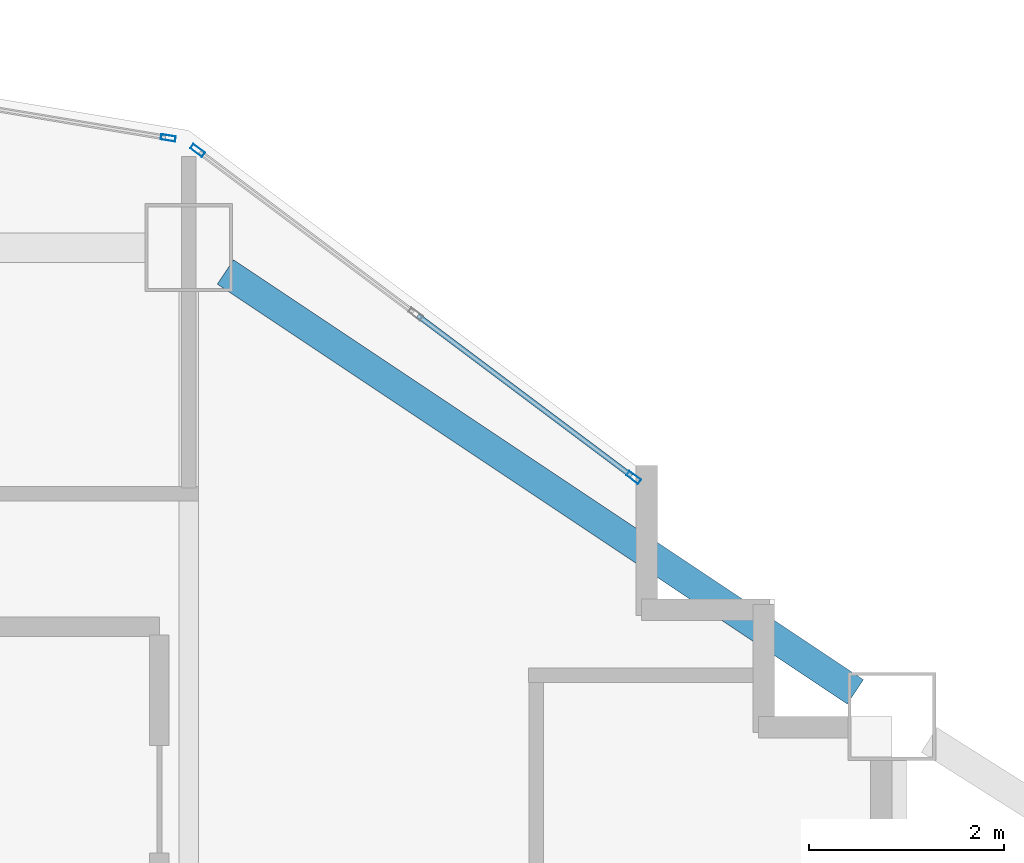
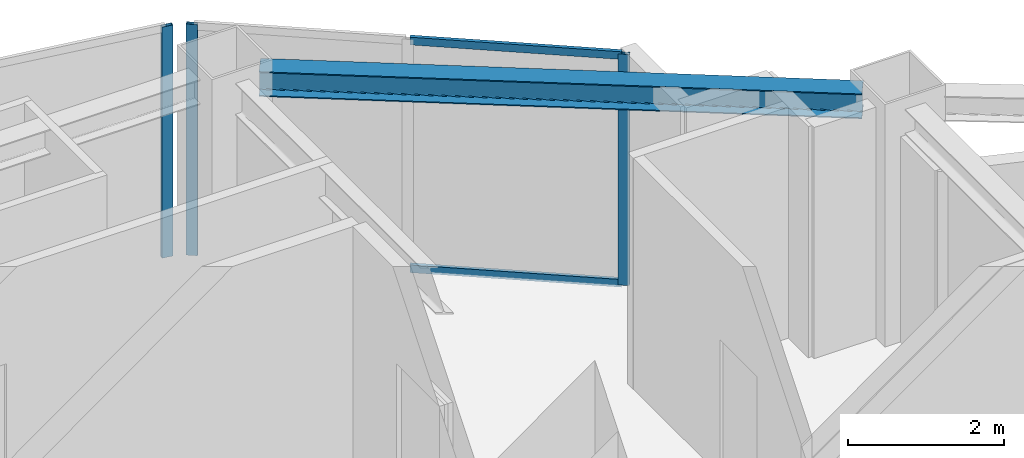
# One storey, part 3 of 13: 5 members, 1 beam, 2 elements without a shape of their own.
"""IFC4 building model written with IfcOpenShell, lengths in metres."""

from ifc_helpers import new_model, si_unit, direction, frame, origin, origin_2d, place, context, subcontext, project, spatial, hollow_rectangle, i_section, extrude, material, layer, layer_set, material_profile, profile_set, type_object, element, aggregate, save


model = new_model("IFC4")

# Units and contexts
model_context = context("Model", 3, precision=1e-05, world=origin(), true_north=direction((0.0, 1.0)))
body_context = subcontext(model_context, "Body", "Model", "MODEL_VIEW")
ifc_project = project(units=[si_unit("LENGTHUNIT", "METRE"), si_unit("AREAUNIT", "SQUARE_METRE"), si_unit("VOLUMEUNIT", "CUBIC_METRE"), si_unit("PLANEANGLEUNIT", "RADIAN"), si_unit("MASSUNIT", "GRAM", prefix="KILO")], contexts=[model_context])

# Site, building, storey
site_placement = place(None, origin())
site = spatial("IfcSite", under=ifc_project, at=site_placement, CompositionType="ELEMENT")
building_placement = place(site_placement, origin())
building = spatial("IfcBuilding", under=site, at=building_placement, Name="Haolan Belvedere Tower", CompositionType="ELEMENT")
storey_placement = place(building_placement, frame((0.0, 0.0, 219.199951171875)))
storey = spatial("IfcBuildingStorey", under=building, at=storey_placement, Name="L55", CompositionType="ELEMENT", Elevation=219.199951171875)

# Beam
ifc_material_1 = material(Name="Steel Q355B", Category="steel")
ifc_material_profile_1 = material_profile(ifc_material_1, i_section(OverallWidth=0.300048828125, OverallDepth=0.389892578125, WebThickness=0.010009765625, FlangeThickness=0.01611328125, FilletRadius=0.02197265625, at=origin_2d()), Name="Steel Q355B")
ifc_profile_set_1 = profile_set([ifc_material_profile_1], Name="Steel Q355B")
beam_type = type_object("IfcBeamType", Name="BM-HM390x300x10x16", PredefinedType="SPANDREL", material=ifc_profile_set_1)
beam_placement = place(storey_placement, frame((45.974365234375, 50.150390625, 3.425048828125), z_axis=(0.832050294338, -0.554700196225, 0.0), x_axis=(0.554700196225, 0.832050294338, 0.0)))
element("IfcBeam", 1, at=beam_placement, inside=storey, type_object=beam_type, Name="L55 spandrel girder MC-T3-N2-MC-T3-NE", PredefinedType="SPANDREL", context=body_context, shape_type="SweptSolid", body=[
    extrude(i_section(OverallWidth=0.300048828125, OverallDepth=0.389892578125, WebThickness=0.010009765625, FlangeThickness=0.01611328125, FilletRadius=0.02197265625, at=origin_2d()), origin(), (0.0, 0.0, 1.0), 7.75341796875),
])

# Curtain wall, members
ifc_material_2 = material(Name="Anodised champagne-silver aluminium 6063-T6 and Low-E glass", Category="aluminium")
ifc_layer = layer(ifc_material_2, 0.14990234375, Name="Anodised champagne-silver aluminium 6063-T6 and Low-E glass")
ifc_layer_set = layer_set([ifc_layer], Name="Anodised champagne-silver aluminium 6063-T6 and Low-E glass")
curtain_wall_type = type_object("IfcCurtainWallType", Name="CW-SYS-04", PredefinedType="NOTDEFINED", material=ifc_layer_set)
curtain_wall_1_placement = place(storey_placement, origin())
curtain_wall_1 = element("IfcCurtainWall", 2, at=curtain_wall_1_placement, inside=storey, type_object=curtain_wall_type, Name="L55 CW-SYS-04 ribbon curtain wall 20.1", PredefinedType="NOTDEFINED")
ifc_material_3 = material(Name="Anodised aluminium 6063-T6", Category="aluminium")
ifc_material_profile_2 = material_profile(ifc_material_3, hollow_rectangle(XDim=0.055908203125, YDim=0.14990234375, WallThickness=0.00390625, at=origin_2d()), Name="Anodised aluminium 6063-T6")
ifc_profile_set_2 = profile_set([ifc_material_profile_2], Name="Anodised aluminium 6063-T6")
member_type_1 = type_object("IfcMemberType", Name="CW-SYS-04-MUL", PredefinedType="MULLION", material=ifc_profile_set_2)
member_1_placement = place(storey_placement, frame((50.155517578125, 48.0458984375, 0.0), z_axis=(0.0, 0.0, 1.0), x_axis=(-0.600002837806, -0.799997871638, 0.0)))
member_1 = element("IfcMember", 3, at=member_1_placement, type_object=member_type_1, Name="CW-04 mullion 1", PredefinedType="MULLION", context=body_context, shape_type="SweptSolid", body=[
    extrude(hollow_rectangle(XDim=0.055908203125, YDim=0.14990234375, WallThickness=0.00390625, at=origin_2d()), origin(), (0.0, 0.0, 1.0), 3.6201171875),
])
member_2_placement = place(storey_placement, frame((45.68994140625, 51.39501953125, 0.0), z_axis=(0.0, 0.0, 1.0), x_axis=(-0.600002837806, -0.799997871638, 0.0)))
member_2 = element("IfcMember", 4, at=member_2_placement, type_object=member_type_1, Name="CW-04 mullion 3", PredefinedType="MULLION", context=body_context, shape_type="SweptSolid", body=[
    extrude(hollow_rectangle(XDim=0.055908203125, YDim=0.14990234375, WallThickness=0.00390625, at=origin_2d()), origin(), (0.0, 0.0, 1.0), 3.6201171875),
])

# Curtain wall, member
curtain_wall_2_placement = place(storey_placement, origin())
curtain_wall_2 = element("IfcCurtainWall", 5, at=curtain_wall_2_placement, inside=storey, type_object=curtain_wall_type, Name="L55 CW-SYS-04 ribbon curtain wall 21.1", PredefinedType="NOTDEFINED")
member_3_placement = place(storey_placement, frame((45.389892578125, 51.5234375, 0.0), z_axis=(0.0, 0.0, 1.0), x_axis=(-0.164405962825, -0.98639276122, 0.0)))
member_3 = element("IfcMember", 6, at=member_3_placement, type_object=member_type_1, Name="CW-04 mullion 1", PredefinedType="MULLION", context=body_context, shape_type="SweptSolid", body=[
    extrude(hollow_rectangle(XDim=0.055908203125, YDim=0.14990234375, WallThickness=0.00390625, at=origin_2d()), origin(), (0.0, 0.0, 1.0), 3.6201171875),
])
aggregate(curtain_wall_2, [member_3])

# Member
ifc_material_profile_3 = material_profile(ifc_material_3, hollow_rectangle(XDim=0.052001953125, YDim=0.1201171875, WallThickness=0.00390625, at=origin_2d()), Name="Anodised aluminium 6063-T6")
ifc_profile_set_3 = profile_set([ifc_material_profile_3], Name="Anodised aluminium 6063-T6")
member_type_2 = type_object("IfcMemberType", Name="CW-SYS-04-TRN", PredefinedType="USERDEFINED", material=ifc_profile_set_3)
member_4_placement = place(storey_placement, frame((50.13330078125, 48.0625, 0.026123046875), z_axis=(-0.800010710715, 0.59998571878, 0.0), x_axis=(-0.59998571878, -0.800010710715, 0.0)))
member_4 = element("IfcMember", 7, at=member_4_placement, type_object=member_type_2, Name="CW-04 transom 1.1", ObjectType="TRANSOM", PredefinedType="USERDEFINED", context=body_context, shape_type="SweptSolid", body=[
    extrude(hollow_rectangle(XDim=0.052001953125, YDim=0.1201171875, WallThickness=0.00390625, at=origin_2d()), origin(), (0.0, 0.0, 1.0), 2.7353515625),
])

member_5_placement = place(storey_placement, frame((50.13330078125, 48.0625, 3.593994140625), z_axis=(-0.800010710715, 0.59998571878, 0.0), x_axis=(-0.59998571878, -0.800010710715, 0.0)))
member_5 = element("IfcMember", 8, at=member_5_placement, type_object=member_type_2, Name="CW-04 transom 1.2", ObjectType="TRANSOM", PredefinedType="USERDEFINED", context=body_context, shape_type="SweptSolid", body=[
    extrude(hollow_rectangle(XDim=0.052001953125, YDim=0.1201171875, WallThickness=0.00390625, at=origin_2d()), origin(), (0.0, 0.0, 1.0), 2.7353515625),
])

aggregate(curtain_wall_1, [member_1, member_2, member_4, member_5])

save(model, "model.ifc")
